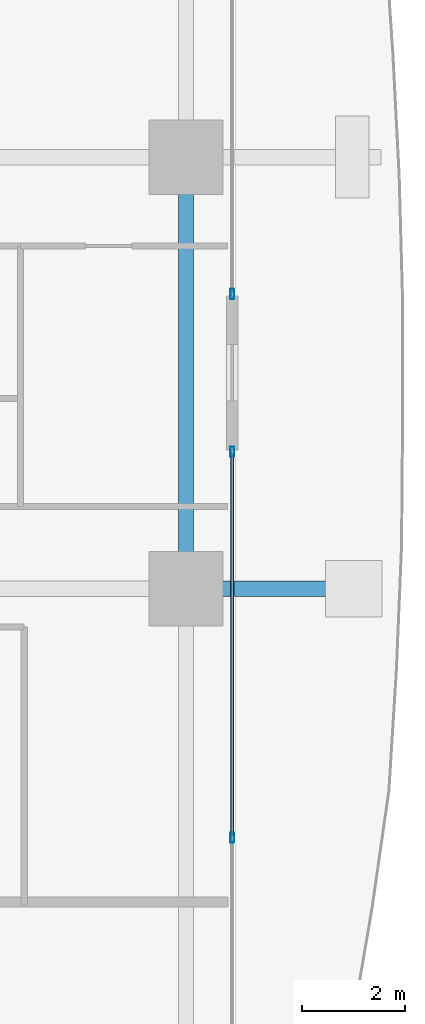
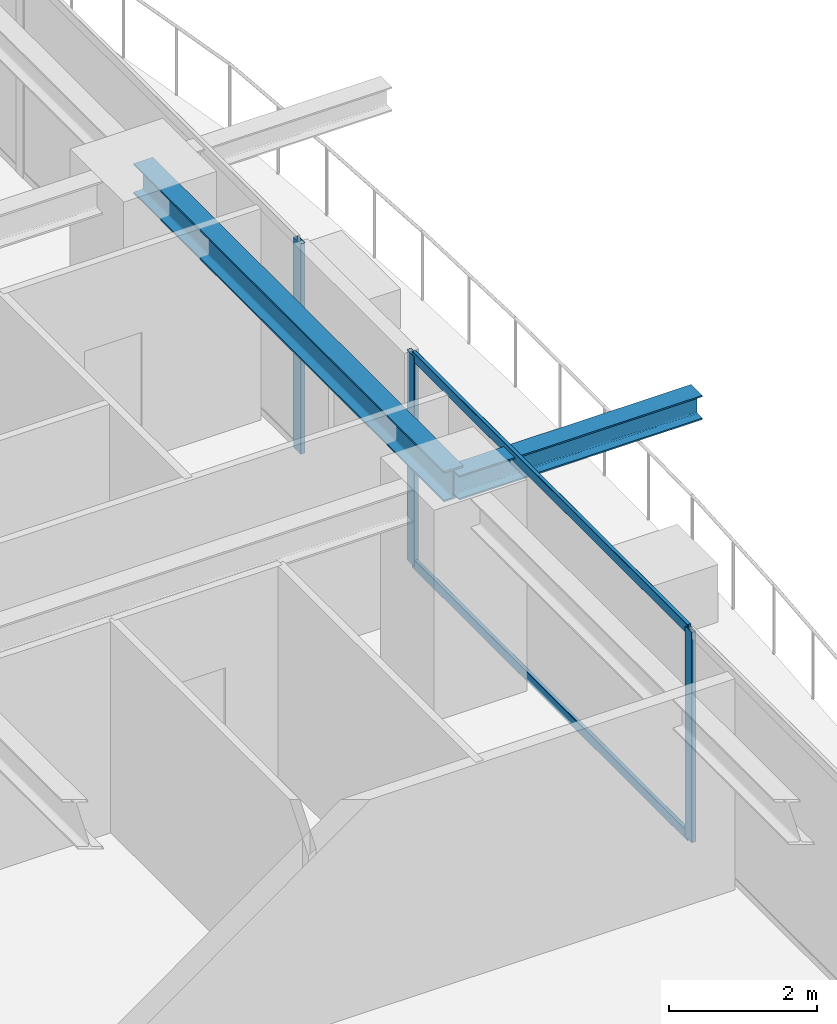
# One storey, part 15 of 39: 5 members, 2 beams, 2 elements without a shape of their own.
"""IFC4 building model written with IfcOpenShell, lengths in metres."""

from ifc_helpers import new_model, si_unit, direction, frame, origin, origin_2d, place, context, subcontext, project, spatial, hollow_rectangle, i_section, extrude, source, transform, mapped, material, layer, layer_set, material_profile, profile_set, type_object, element, aggregate, save


model = new_model("IFC4")

# Units and contexts
model_context = context("Model", 3, precision=1e-05, world=origin(), true_north=direction((0.0, 1.0)))
body_context = subcontext(model_context, "Body", "Model", "MODEL_VIEW")
ifc_project = project(units=[si_unit("LENGTHUNIT", "METRE"), si_unit("AREAUNIT", "SQUARE_METRE"), si_unit("VOLUMEUNIT", "CUBIC_METRE"), si_unit("PLANEANGLEUNIT", "RADIAN"), si_unit("MASSUNIT", "GRAM", prefix="KILO")], contexts=[model_context])

# Site, building, storey
site_placement = place(None, origin())
site = spatial("IfcSite", under=ifc_project, at=site_placement, CompositionType="ELEMENT")
building_placement = place(site_placement, origin())
building = spatial("IfcBuilding", under=site, at=building_placement, Name="Serunith Strait Residences", CompositionType="ELEMENT")
storey_placement = place(building_placement, frame((0.0, 0.0, 49.199951171875)))
storey = spatial("IfcBuildingStorey", under=building, at=storey_placement, Name="L11", CompositionType="ELEMENT", Elevation=49.199951171875)

# Beams
ifc_material_1 = material(Name="Steel S355J2", Category="steel")
ifc_material_profile_1 = material_profile(ifc_material_1, i_section(OverallWidth=0.300048828125, OverallDepth=0.5, WebThickness=0.014404296875, FlangeThickness=0.028076171875, FilletRadius=0.027099609375, at=origin_2d()), Name="HEB 500")
ifc_profile_set_1 = profile_set([ifc_material_profile_1], Name="Steel S355J2")
beam_type_1 = type_object("IfcBeamType", Name="BM-HEB500", PredefinedType="BEAM", material=ifc_profile_set_1)
shared_shape_1 = source(origin(), body_context, "Body", "SweptSolid", [
    extrude(i_section(OverallWidth=0.300048828125, OverallDepth=0.5, WebThickness=0.014404296875, FlangeThickness=0.028076171875, FilletRadius=0.027099609375, at=origin_2d()), origin(), (0.0, 0.0, 1.0), 8.39990234375),
])
beam_1_placement = place(storey_placement, frame((57.89990234375, 21.0, 3.237060546875), z_axis=(0.0, 1.0, 0.0), x_axis=(-1.0, 0.0, 0.0)))
element("IfcBeam", 1, at=beam_1_placement, inside=storey, type_object=beam_type_1, Name="L11 Perimeter Ring Beam 06", PredefinedType="BEAM", context=body_context, shape_type="MappedRepresentation", body=[
    mapped(shared_shape_1, transform((0.0, 0.0, 0.0), scale=1.0)),
])
ifc_material_profile_2 = material_profile(ifc_material_1, i_section(OverallWidth=0.300048828125, OverallDepth=0.39990234375, WebThickness=0.013427734375, FlangeThickness=0.02392578125, FilletRadius=0.027099609375, at=origin_2d()), Name="HEB 400")
ifc_profile_set_2 = profile_set([ifc_material_profile_2], Name="Steel S355J2")
beam_type_2 = type_object("IfcBeamType", Name="BM-HEB400", PredefinedType="BEAM", material=ifc_profile_set_2)
shared_shape_2 = source(origin(), body_context, "Body", "SweptSolid", [
    extrude(i_section(OverallWidth=0.300048828125, OverallDepth=0.39990234375, WebThickness=0.013427734375, FlangeThickness=0.02392578125, FilletRadius=0.027099609375, at=origin_2d()), origin(), (0.0, 0.0, 1.0), 3.800048828125),
])
beam_2_placement = place(storey_placement, frame((57.89990234375, 21.0, 3.257080078125), z_axis=(1.0, 0.0, 0.0), x_axis=(0.0, 1.0, 0.0)))
element("IfcBeam", 2, at=beam_2_placement, inside=storey, type_object=beam_type_2, Name="L12 Cantilevered Balcony Rib TC-E2", PredefinedType="BEAM", context=body_context, shape_type="MappedRepresentation", body=[
    mapped(shared_shape_2, transform((0.0, 0.0, 0.0), scale=1.0)),
])

# Curtain wall, members
ifc_material_2 = material(Name="Pale-Champagne Anodised Aluminium", Category="aluminium")
ifc_layer = layer(ifc_material_2, 0.199951171875, Name="Pale-Champagne Anodised Aluminium")
ifc_layer_set = layer_set([ifc_layer], Name="Pale-Champagne Anodised Aluminium")
curtain_wall_type = type_object("IfcCurtainWallType", Name="CW-SYS1", PredefinedType="NOTDEFINED", material=ifc_layer_set)
curtain_wall_1_placement = place(storey_placement, origin())
curtain_wall_1 = element("IfcCurtainWall", 3, at=curtain_wall_1_placement, inside=storey, type_object=curtain_wall_type, Name="L11 E Unitised Fritted Curtain Wall", PredefinedType="NOTDEFINED")
ifc_material_profile_3 = material_profile(ifc_material_2, hollow_rectangle(XDim=0.070068359375, YDim=0.199951171875, WallThickness=0.00390625, InnerFilletRadius=0.006103515625, OuterFilletRadius=0.010009765625, at=origin_2d()), Name="ALU 200x70x4")
ifc_profile_set_3 = profile_set([ifc_material_profile_3], Name="Pale-Champagne Anodised Aluminium")
member_type_1 = type_object("IfcMemberType", Name="CW-SYS1-MULL", PredefinedType="MULLION", material=ifc_profile_set_3)
shared_shape_3 = source(origin(), body_context, "Body", "SweptSolid", [
    extrude(hollow_rectangle(XDim=0.070068359375, YDim=0.199951171875, WallThickness=0.00390625, InnerFilletRadius=0.006103515625, OuterFilletRadius=0.010009765625, at=origin_2d()), origin(), (0.0, 0.0, 1.0), 3.47509765625),
])
member_1_placement = place(storey_placement, frame((58.800048828125, 16.14990234375, 0.0), z_axis=(0.0, 0.0, 1.0), x_axis=(-1.0, 0.0, 0.0)))
member_1 = element("IfcMember", 4, at=member_1_placement, type_object=member_type_1, Name="CW-1 mullion 2", PredefinedType="MULLION", context=body_context, shape_type="MappedRepresentation", body=[
    mapped(shared_shape_3, transform((0.0, 0.0, 0.0), scale=1.0)),
])
member_2_placement = place(storey_placement, frame((58.800048828125, 23.6650390625, 0.0), z_axis=(0.0, 0.0, 1.0), x_axis=(-1.0, 0.0, 0.0)))
member_2 = element("IfcMember", 5, at=member_2_placement, type_object=member_type_1, Name="CW-1 mullion 3", PredefinedType="MULLION", context=body_context, shape_type="MappedRepresentation", body=[
    mapped(shared_shape_3, transform((0.0, 0.0, 0.0), scale=1.0)),
])

# Curtain wall, member
curtain_wall_2_placement = place(storey_placement, origin())
curtain_wall_2 = element("IfcCurtainWall", 6, at=curtain_wall_2_placement, inside=storey, type_object=curtain_wall_type, Name="L11 E Unitised Fritted Curtain Wall", PredefinedType="NOTDEFINED")
member_3_placement = place(storey_placement, frame((58.800048828125, 26.735107421875, 0.0), z_axis=(0.0, 0.0, 1.0), x_axis=(-1.0, 0.0, 0.0)))
member_3 = element("IfcMember", 7, at=member_3_placement, type_object=member_type_1, Name="CW-1 mullion 1", PredefinedType="MULLION", context=body_context, shape_type="MappedRepresentation", body=[
    mapped(shared_shape_3, transform((0.0, 0.0, 0.0), scale=1.0)),
])
aggregate(curtain_wall_2, [member_3])

# Member
ifc_material_profile_4 = material_profile(ifc_material_2, hollow_rectangle(XDim=0.06005859375, YDim=0.159912109375, WallThickness=0.00341796875, InnerFilletRadius=0.00537109375, OuterFilletRadius=0.0087890625, at=origin_2d()), Name="ALU 160x60x3.5")
ifc_profile_set_4 = profile_set([ifc_material_profile_4], Name="Pale-Champagne Anodised Aluminium")
member_type_2 = type_object("IfcMemberType", Name="CW-SYS1-TRAN", PredefinedType="USERDEFINED", material=ifc_profile_set_4)
shared_shape_4 = source(origin(), body_context, "Body", "SweptSolid", [
    extrude(hollow_rectangle(XDim=0.06005859375, YDim=0.159912109375, WallThickness=0.00341796875, InnerFilletRadius=0.00537109375, OuterFilletRadius=0.0087890625, at=origin_2d()), origin(), (0.0, 0.0, 1.0), 7.44482421875),
])
member_4_placement = place(storey_placement, frame((58.800048828125, 16.18505859375, 0.030029296875), z_axis=(0.0, 1.0, 0.0), x_axis=(-1.0, 0.0, 0.0)))
member_4 = element("IfcMember", 8, at=member_4_placement, type_object=member_type_2, Name="CW-1 transom 2.1", ObjectType="TRANSOM", PredefinedType="USERDEFINED", context=body_context, shape_type="MappedRepresentation", body=[
    mapped(shared_shape_4, transform((0.0, 0.0, 0.0), scale=1.0)),
])

member_5_placement = place(storey_placement, frame((58.800048828125, 16.18505859375, 3.445068359375), z_axis=(0.0, 1.0, 0.0), x_axis=(-1.0, 0.0, 0.0)))
member_5 = element("IfcMember", 9, at=member_5_placement, type_object=member_type_2, Name="CW-1 transom 2.2", ObjectType="TRANSOM", PredefinedType="USERDEFINED", context=body_context, shape_type="MappedRepresentation", body=[
    mapped(shared_shape_4, transform((0.0, 0.0, 0.0), scale=1.0)),
])

aggregate(curtain_wall_1, [member_1, member_2, member_4, member_5])

save(model, "model.ifc")
